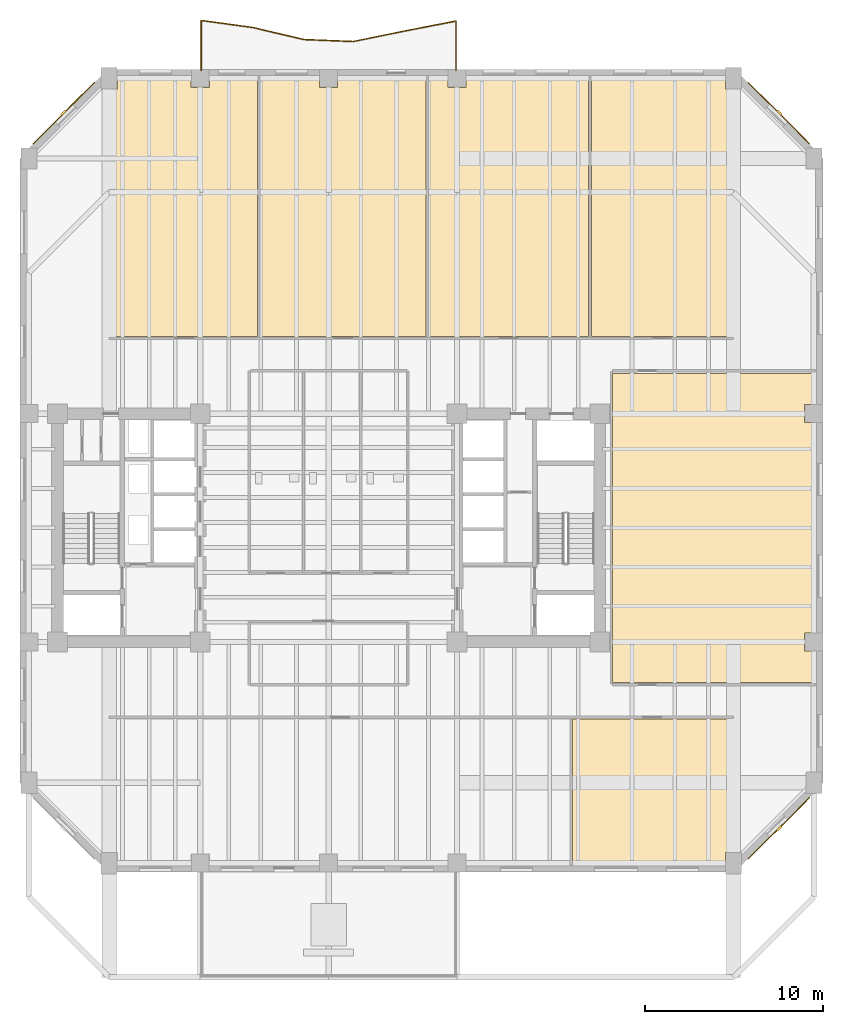
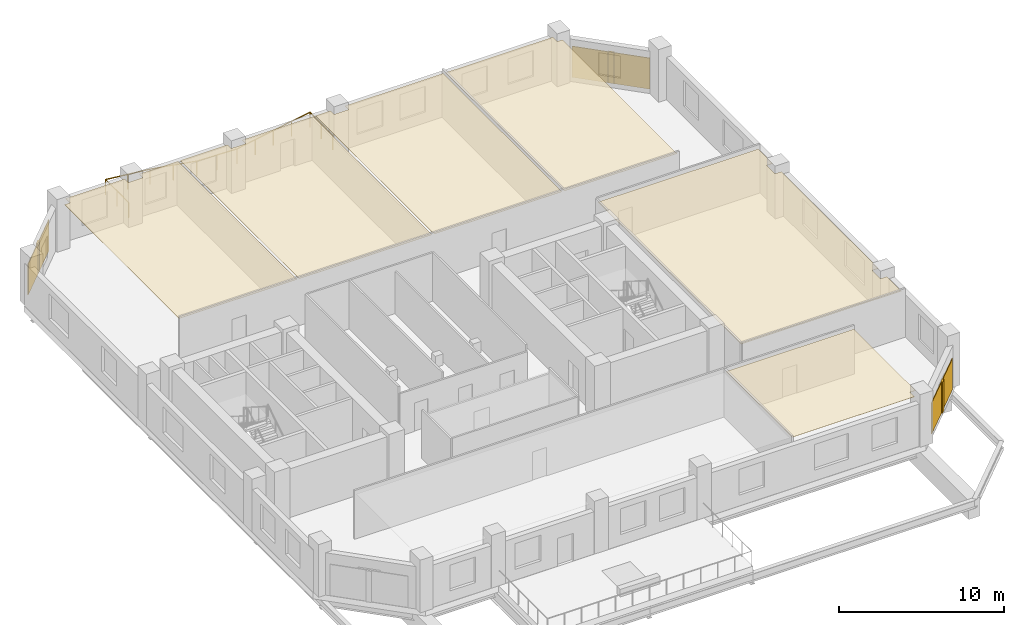
# One storey, part 9 of 10: 9 coverings, 3 shading devices, 1 railing.
"""IFC4 building model written with IfcOpenShell, lengths in metres."""

from ifc_helpers import new_model, si_unit, direction, frame, origin, origin_2d, place, context, subcontext, project, spatial, polyline, rectangle, circle, outline, extrude, material, layer, layer_set, type_object, element, save


model = new_model("IFC4")

# Units and contexts
model_context = context("Model", 3, precision=1e-05, world=origin(), true_north=direction((0.0, 1.0)))
body_context = subcontext(model_context, "Body", "Model", "MODEL_VIEW")
ifc_project = project(units=[si_unit("LENGTHUNIT", "METRE"), si_unit("AREAUNIT", "SQUARE_METRE"), si_unit("VOLUMEUNIT", "CUBIC_METRE"), si_unit("PLANEANGLEUNIT", "RADIAN"), si_unit("MASSUNIT", "GRAM", prefix="KILO")], contexts=[model_context])

# Site, building, storey
site_placement = place(None, origin())
site = spatial("IfcSite", under=ifc_project, at=site_placement, CompositionType="ELEMENT")
building_placement = place(site_placement, origin())
building = spatial("IfcBuilding", under=site, at=building_placement, Name="Kranthara Brick Stack", CompositionType="ELEMENT")
storey_placement = place(building_placement, frame((0.0, 0.0, 71.10009765625)))
storey = spatial("IfcBuildingStorey", under=building, at=storey_placement, Name="L17", CompositionType="ELEMENT", Elevation=71.10009765625)

# Coverings
ifc_material_1 = material(Name="Perforated mineral-fibre acoustic ceiling tile", Category="other")
ifc_layer_1 = layer(ifc_material_1, 0.02490234375)
ifc_layer_set_1 = layer_set([ifc_layer_1], Name="Perforated mineral-fibre acoustic ceiling tile")
covering_type_1 = type_object("IfcCoveringType", Name="COV-CEIL-ACOUSTIC", PredefinedType="CEILING", material=ifc_layer_set_1)
covering_1_placement = place(storey_placement, frame((0.0, 0.0, 3.329833984375)))
element("IfcCovering", 1, at=covering_1_placement, inside=storey, type_object=covering_type_1, Name="L17 L17 Staff Pantry 2 Acoustic Ceiling", PredefinedType="CEILING", context=body_context, shape_type="SweptSolid", body=[
    extrude(outline(polyline([(41.679931640625, 8.469970703125), (41.679931640625, 16.47998046875), (50.6201171875, 16.47998046875), (50.6201171875, 9.010009765625), (50.239990234375, 9.010009765625), (50.239990234375, 8.469970703125), (41.679931640625, 8.469970703125)])), origin(), (0.0, 0.0, 1.0), 0.025146484375),
])
covering_2_placement = place(storey_placement, frame((0.0, 0.0, 3.329833984375)))
element("IfcCovering", 2, at=covering_2_placement, inside=storey, type_object=covering_type_1, Name="L17 L17 Executive Cellular Office 1 Acoustic Ceiling", PredefinedType="CEILING", context=body_context, shape_type="SweptSolid", body=[
    extrude(outline(polyline([(24.02001953125, 37.919921875), (15.780029296875, 37.919921875), (15.780029296875, 51.7900390625), (16.159912109375, 51.7900390625), (16.159912109375, 52.330078125), (20.2900390625, 52.330078125), (20.2900390625, 51.889892578125), (21.31005859375, 51.889892578125), (21.31005859375, 52.330078125), (24.02001953125, 52.330078125), (24.02001953125, 37.919921875)])), origin(), (0.0, 0.0, 1.0), 0.025146484375),
])
covering_3_placement = place(storey_placement, frame((0.0, 0.0, 3.329833984375)))
element("IfcCovering", 3, at=covering_3_placement, inside=storey, type_object=covering_type_1, Name="L17 L17 Meeting Room 2 Acoustic Ceiling", PredefinedType="CEILING", context=body_context, shape_type="SweptSolid", body=[
    extrude(outline(polyline([(33.469970703125, 52.330078125), (33.469970703125, 37.919921875), (24.179931640625, 37.919921875), (24.179931640625, 52.330078125), (27.489990234375, 52.330078125), (27.489990234375, 51.889892578125), (28.510009765625, 51.889892578125), (28.510009765625, 52.330078125), (33.469970703125, 52.330078125)])), origin(), (0.0, 0.0, 1.0), 0.025146484375),
])
covering_4_placement = place(storey_placement, frame((0.0, 0.0, 3.329833984375)))
element("IfcCovering", 4, at=covering_4_placement, inside=storey, type_object=covering_type_1, Name="L17 L17 Boardroom 3 Acoustic Ceiling", PredefinedType="CEILING", context=body_context, shape_type="SweptSolid", body=[
    extrude(outline(polyline([(42.570068359375, 52.330078125), (42.570068359375, 37.919921875), (33.6298828125, 37.919921875), (33.6298828125, 52.330078125), (34.68994140625, 52.330078125), (34.68994140625, 51.889892578125), (35.7099609375, 51.889892578125), (35.7099609375, 52.330078125), (42.570068359375, 52.330078125)])), origin(), (0.0, 0.0, 1.0), 0.025146484375),
])
covering_5_placement = place(storey_placement, frame((0.0, 0.0, 3.329833984375)))
element("IfcCovering", 5, at=covering_5_placement, inside=storey, type_object=covering_type_1, Name="L17 L17 Collaboration Lounge 4 Acoustic Ceiling", PredefinedType="CEILING", context=body_context, shape_type="SweptSolid", body=[
    extrude(outline(polyline([(50.6201171875, 37.919921875), (42.72998046875, 37.919921875), (42.72998046875, 52.330078125), (50.239990234375, 52.330078125), (50.239990234375, 51.7900390625), (50.6201171875, 51.7900390625), (50.6201171875, 37.919921875)])), origin(), (0.0, 0.0, 1.0), 0.025146484375),
])
covering_6_placement = place(storey_placement, frame((0.0, 0.0, 3.329833984375)))
element("IfcCovering", 6, at=covering_6_placement, inside=storey, type_object=covering_type_1, Name="L17 L17 East Client Office 1 Acoustic Ceiling", PredefinedType="CEILING", context=body_context, shape_type="SweptSolid", body=[
    extrude(outline(polyline([(43.919921875, 18.5400390625), (43.919921875, 35.860107421875), (55.1298828125, 35.860107421875), (55.1298828125, 34.110107421875), (54.68994140625, 34.110107421875), (54.68994140625, 33.090087890625), (55.1298828125, 33.090087890625), (55.1298828125, 21.31005859375), (54.68994140625, 21.31005859375), (54.68994140625, 20.2900390625), (55.1298828125, 20.2900390625), (55.1298828125, 18.5400390625), (43.919921875, 18.5400390625)])), origin(), (0.0, 0.0, 1.0), 0.025146484375),
])
ifc_material_2 = material(Name="Warm buff kiln-fired brick slip rainscreen", Category="masonry")
ifc_layer_2 = layer(ifc_material_2, 0.044921875)
ifc_layer_set_2 = layer_set([ifc_layer_2], Name="Warm buff kiln-fired brick slip rainscreen")
covering_type_2 = type_object("IfcCoveringType", Name="COV-CLAD-BRICK", PredefinedType="CLADDING", material=ifc_layer_set_2)
for number, where, z_axis, x_axis, name in (
    (7, (13.156494140625, 50.443603515625, 0.0498046875), (0.0, 0.0, 1.0), (0.707106781187, 0.707106781187, 0.0), "L17 Chamfer Brick Rainscreen Cladding NW"),
    (8, (53.243408203125, 50.443603515625, 0.0498046875), (0.0, 0.0, 1.0), (0.707106781187, -0.707106781187, 0.0), "L17 Chamfer Brick Rainscreen Cladding NE"),
    (9, (53.243408203125, 10.3564453125, 0.0498046875), (0.0, 0.0, 1.0), (-0.707106781187, -0.707106781187, 0.0), "L17 Chamfer Brick Rainscreen Cladding SE"),
):
    element("IfcCovering", number, at=place(storey_placement, frame(where, z_axis=z_axis, x_axis=x_axis)), inside=storey, type_object=covering_type_2, Name=name, PredefinedType="CLADDING", context=body_context, shape_type="SweptSolid", body=[
        extrude(rectangle(XDim=4.876953125, YDim=0.044921875, at=origin_2d()), origin(), (0.0, 0.0, 1.0), 2.300048828125),
    ])

# Railing
ifc_material_3 = material(Name="Bronze anodised aluminium and laminated glass balustrade", Category="aluminium")
railing_type = type_object("IfcRailingType", Name="RL-BALC-1120", PredefinedType="BALUSTRADE", material=ifc_material_3)
railing_placement = place(storey_placement, frame((20.860107421875, 52.840087890625, 0.0)))
element("IfcRailing", 10, at=railing_placement, inside=storey, type_object=railing_type, Name="L17 North Rippling Balcony Balustrade", PredefinedType="BALUSTRADE", context=body_context, shape_type="SweptSolid", body=[
    extrude(circle(Radius=0.02392578125, at=origin_2d()), frame((0.0, 0.0, 1.09619140625), z_axis=(-0.000261506267, 0.999999965807, 0.0), x_axis=(-0.999999965807, -0.000261506267, 0.0)), (0.0, 0.0, 1.0), 2.80078125),
    extrude(circle(Radius=0.02392578125, at=origin_2d()), frame((-0.000732421875, 2.80078125, 1.09619140625), z_axis=(0.990791282076, -0.135398062623, 0.0), x_axis=(0.135398062623, 0.990791282076, 0.0)), (0.0, 0.0, 1.0), 2.90673828125),
    extrude(circle(Radius=0.02392578125, at=origin_2d()), frame((2.879150390625, 2.4072265625, 1.09619140625), z_axis=(0.97355441065, -0.228455268058, 0.0), x_axis=(0.228455268058, 0.97355441065, 0.0)), (0.0, 0.0, 1.0), 2.959228515625),
    extrude(circle(Radius=0.02392578125, at=origin_2d()), frame((5.760009765625, 1.731201171875, 1.09619140625), z_axis=(0.99919813241, -0.0400386337, 0.0), x_axis=(0.0400386337, 0.99919813241, 0.0)), (0.0, 0.0, 1.0), 2.76220703125),
    extrude(circle(Radius=0.02392578125, at=origin_2d()), frame((8.52001953125, 1.62060546875, 1.09619140625), z_axis=(0.979767517147, 0.200138982567, 0.0), x_axis=(-0.200138982567, 0.979767517147, 0.0)), (0.0, 0.0, 1.0), 2.93994140625),
    extrude(circle(Radius=0.02392578125, at=origin_2d()), frame((11.400390625, 2.208984375, 1.09619140625), z_axis=(0.981722212328, 0.190319462541, 0.0), x_axis=(-0.190319462541, 0.981722212328, 0.0)), (0.0, 0.0, 1.0), 2.933837890625),
    extrude(circle(Radius=0.02392578125, at=origin_2d()), frame((14.280517578125, 2.767333984375, 1.09619140625), z_axis=(-0.000264666951, -0.999999964976, 0.0), x_axis=(0.999999964976, -0.000264666951, 0.0)), (0.0, 0.0, 1.0), 2.767333984375),
    extrude(circle(Radius=0.02099609375, at=origin_2d()), origin(), (0.0, 0.0, 1.0), 1.072021484375),
    extrude(circle(Radius=0.02099609375, at=origin_2d()), frame((-0.00048828125, 1.400390625, 0.0)), (0.0, 0.0, 1.0), 1.072021484375),
    extrude(circle(Radius=0.02099609375, at=origin_2d()), frame((-0.000732421875, 2.80078125, 0.0)), (0.0, 0.0, 1.0), 1.072021484375),
    extrude(circle(Radius=0.02099609375, at=origin_2d()), frame((1.439208984375, 2.60400390625, 0.0)), (0.0, 0.0, 1.0), 1.072021484375),
    extrude(circle(Radius=0.02099609375, at=origin_2d()), frame((2.879150390625, 2.4072265625, 0.0)), (0.0, 0.0, 1.0), 1.072021484375),
    extrude(circle(Radius=0.02099609375, at=origin_2d()), frame((4.319580078125, 2.0693359375, 0.0)), (0.0, 0.0, 1.0), 1.072021484375),
    extrude(circle(Radius=0.02099609375, at=origin_2d()), frame((5.760009765625, 1.731201171875, 0.0)), (0.0, 0.0, 1.0), 1.072021484375),
    extrude(circle(Radius=0.02099609375, at=origin_2d()), frame((7.14013671875, 1.67578125, 0.0)), (0.0, 0.0, 1.0), 1.072021484375),
    extrude(circle(Radius=0.02099609375, at=origin_2d()), frame((8.52001953125, 1.62060546875, 0.0)), (0.0, 0.0, 1.0), 1.072021484375),
    extrude(circle(Radius=0.02099609375, at=origin_2d()), frame((9.960205078125, 1.914794921875, 0.0)), (0.0, 0.0, 1.0), 1.072021484375),
    extrude(circle(Radius=0.02099609375, at=origin_2d()), frame((11.400390625, 2.208984375, 0.0)), (0.0, 0.0, 1.0), 1.072021484375),
    extrude(circle(Radius=0.02099609375, at=origin_2d()), frame((12.84033203125, 2.48828125, 0.0)), (0.0, 0.0, 1.0), 1.072021484375),
    extrude(circle(Radius=0.02099609375, at=origin_2d()), frame((14.280517578125, 2.767333984375, 0.0)), (0.0, 0.0, 1.0), 1.072021484375),
    extrude(circle(Radius=0.02099609375, at=origin_2d()), frame((14.2802734375, 1.3837890625, 0.0)), (0.0, 0.0, 1.0), 1.072021484375),
    extrude(circle(Radius=0.02099609375, at=origin_2d()), frame((14.27978515625, 0.0, 0.0)), (0.0, 0.0, 1.0), 1.072021484375),
])

# Shading devices
ifc_material_4 = material(Name="Kiln-fired terracotta aerodynamic wind fin", Category="masonry")
shading_device_type = type_object("IfcShadingDeviceType", Name="SHD-BAFFLE-CORNER", PredefinedType="SHUTTER", material=ifc_material_4)
for number, where, z_axis, x_axis, name in (
    (11, (13.13525390625, 50.464599609375, 0.0498046875), (0.0, 0.0, 1.0), (0.707106781187, 0.707106781187, 0.0), "L17 Chamfer Wind-Baffle Fin NW"),
    (12, (53.2646484375, 50.464599609375, 0.0498046875), (0.0, 0.0, 1.0), (0.707106781187, -0.707106781187, 0.0), "L17 Chamfer Wind-Baffle Fin NE"),
    (13, (53.2646484375, 10.335205078125, 0.0498046875), (0.0, 0.0, 1.0), (-0.707106781187, -0.707106781187, 0.0), "L17 Chamfer Wind-Baffle Fin SE"),
):
    element("IfcShadingDevice", number, at=place(storey_placement, frame(where, z_axis=z_axis, x_axis=x_axis)), inside=storey, type_object=shading_device_type, Name=name, PredefinedType="SHUTTER", context=body_context, shape_type="SweptSolid", body=[
        extrude(rectangle(XDim=0.35009765625, YDim=0.1201171875, at=origin_2d()), origin(), (0.0, 0.0, 1.0), 2.300048828125),
    ])

save(model, "model.ifc")
